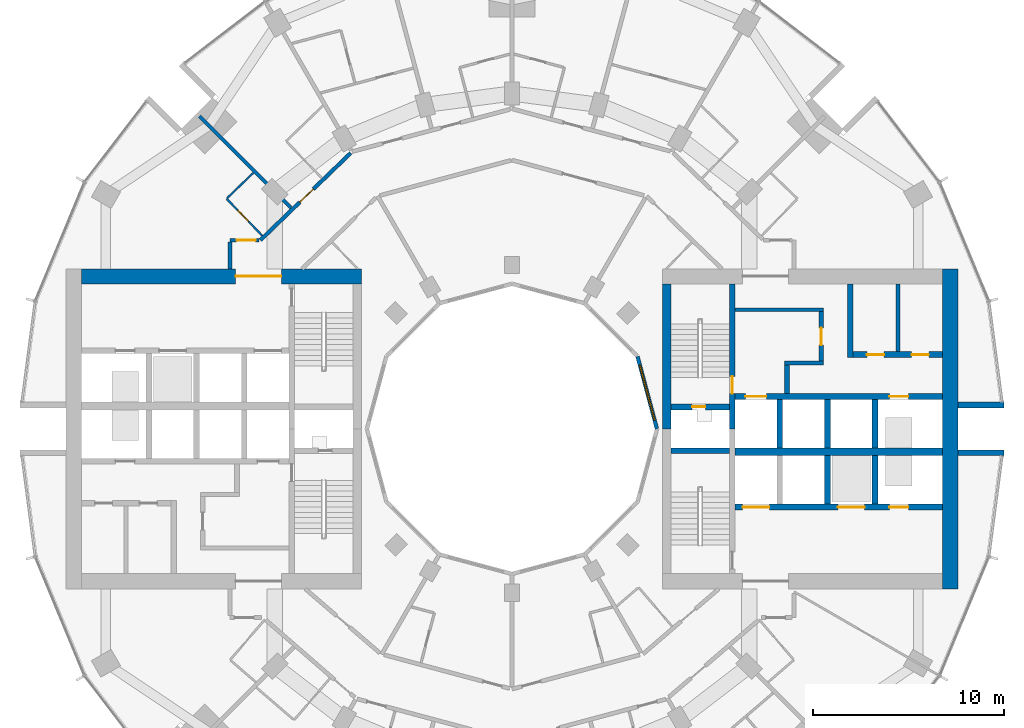
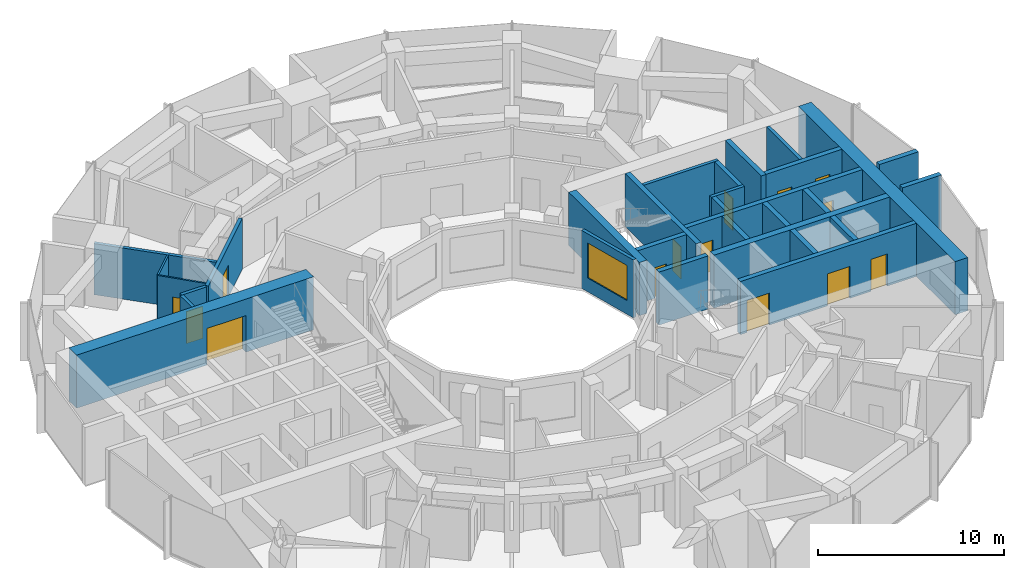
# One storey, part 11 of 15: 30 walls, 14 doors, 1 window, 15 openings.
"""IFC4 building model written with IfcOpenShell, lengths in metres."""

from ifc_helpers import new_model, si_unit, direction, frame, frame_2d, origin, place, context, subcontext, project, spatial, rectangle, extrude, material, layer, layer_set, type_object, element, fill, save


model = new_model("IFC4")

# Units and contexts
model_context = context("Model", 3, precision=1e-05, world=origin(), true_north=direction((0.0, 1.0)))
body_context = subcontext(model_context, "Body", "Model", "MODEL_VIEW")
ifc_project = project(units=[si_unit("LENGTHUNIT", "METRE"), si_unit("AREAUNIT", "SQUARE_METRE"), si_unit("VOLUMEUNIT", "CUBIC_METRE"), si_unit("PLANEANGLEUNIT", "RADIAN"), si_unit("MASSUNIT", "GRAM", prefix="KILO")], contexts=[model_context])

# Site, building, storey
site_placement = place(None, origin())
site = spatial("IfcSite", under=ifc_project, at=site_placement, CompositionType="ELEMENT")
building_placement = place(site_placement, origin())
building = spatial("IfcBuilding", under=site, at=building_placement, Name="Torre Brocal", CompositionType="ELEMENT")
storey_placement = place(building_placement, frame((0.0, 0.0, 47.800048828125)))
storey = spatial("IfcBuildingStorey", under=building, at=storey_placement, Name="L10", CompositionType="ELEMENT", Elevation=47.800048828125)

# Walls
ifc_material_1 = material(Name="Masonry block", Category="masonry")
ifc_layer_1 = layer(ifc_material_1, 0.199951171875)
ifc_layer_set_1 = layer_set([ifc_layer_1], Name="Masonry block")
wall_type_1 = type_object("IfcWallType", Name="CORE PARTITION 200", PredefinedType="PARTITIONING", material=ifc_layer_set_1)
wall_1_placement = place(storey_placement, frame((100.25, 79.050048828125, 0.0), z_axis=(0.0, 0.0, 1.0), x_axis=(0.0, 1.0, 0.0)))
element("IfcWall", 1, at=wall_1_placement, inside=storey, type_object=wall_type_1, Name="Wall CP200", PredefinedType="PARTITIONING", context=body_context, shape_type="SweptSolid", body=[
    extrude(rectangle(XDim=3.550048828125, YDim=0.199951171875, at=frame_2d((1.77490234375, 0.0))), origin(), (0.0, 0.0, 1.0), 3.47998046875),
])
ifc_material_2 = material(Name="Concrete C80", Category="concrete")
ifc_layer_2 = layer(ifc_material_2, 0.199951171875)
ifc_layer_set_2 = layer_set([ifc_layer_2], Name="Concrete C80")
wall_type_2 = type_object("IfcWallType", Name="CORE WALL 200 C80", PredefinedType="SHEAR", material=ifc_layer_set_2)
wall_2_placement = place(storey_placement, frame((91.699951171875, 81.25, 0.0), z_axis=(0.0, 0.0, 1.0), x_axis=(1.0, 0.0, 0.0)))
element("IfcWall", 2, at=wall_2_placement, inside=storey, type_object=wall_type_2, Name="Wall CW200-80", PredefinedType="SHEAR", context=body_context, shape_type="SweptSolid", body=[
    extrude(rectangle(XDim=4.650146484375, YDim=0.199951171875, at=frame_2d((2.3251953125, 0.0))), origin(), (0.0, 0.0, 1.0), 3.47998046875),
])
wall_3_placement = place(storey_placement, frame((94.300048828125, 78.449951171875, 0.0), z_axis=(0.0, 0.0, 1.0), x_axis=(1.0, 0.0, 0.0)))
element("IfcWall", 3, at=wall_3_placement, inside=storey, type_object=wall_type_2, Name="Wall CW200-80", PredefinedType="SHEAR", context=body_context, shape_type="SweptSolid", body=[
    extrude(rectangle(XDim=2.050048828125, YDim=0.199951171875, at=frame_2d((1.02490234375, 0.0))), origin(), (0.0, 0.0, 1.0), 3.47998046875),
])

# Wall, opening, door
ifc_material_3 = material(Name="Concrete C80", Category="concrete")
ifc_layer_3 = layer(ifc_material_3, 0.25)
ifc_layer_set_3 = layer_set([ifc_layer_3], Name="Concrete C80")
wall_type_3 = type_object("IfcWallType", Name="CORE WALL 250 C80", PredefinedType="SHEAR", material=ifc_layer_set_3)
wall_4_placement = place(storey_placement, frame((96.22509765625, 78.550048828125, 0.0), z_axis=(0.0, 0.0, 1.0), x_axis=(0.0, 1.0, 0.0)))
wall_4 = element("IfcWall", 4, at=wall_4_placement, inside=storey, type_object=wall_type_3, Name="Wall CW250-80", PredefinedType="SHEAR", context=body_context, shape_type="SweptSolid", body=[
    extrude(rectangle(XDim=2.599853515625, YDim=0.25, at=frame_2d((1.2998046875, 0.0))), origin(), (0.0, 0.0, 1.0), 3.47998046875),
])
opening_1_placement = place(wall_4_placement, frame((0.85009765625, 0.0, 0.0)))
opening_1 = element("IfcOpeningElement", 5, at=opening_1_placement, cuts=wall_4, Name="Opening E-D15", PredefinedType="OPENING", context=body_context, shape_type="SweptSolid", body=[
    extrude(rectangle(XDim=0.89990234375, YDim=2.10009765625, at=frame_2d((0.449951171875, 1.050048828125))), frame((0.0, 0.135009765625, 0.0), z_axis=(0.0, -1.0, 0.0), x_axis=(1.0, 0.0, 0.0)), (0.0, 0.0, 1.0), 0.27001953125),
])
ifc_material_4 = material(Name="Steel A653", Category="steel")
door_type_1 = type_object("IfcDoorType", Name="LOBBY DOOR FD120 900X2100", OperationType="SINGLE_SWING_RIGHT", PredefinedType="DOOR", material=ifc_material_4)
door_1_placement = place(opening_1_placement, origin())
door_1 = element("IfcDoor", 6, at=door_1_placement, inside=storey, type_object=door_type_1, Name="Door E-D15", OperationType="SINGLE_SWING_LEFT", OverallHeight=2.10009765625, OverallWidth=0.89990234375, PredefinedType="DOOR", context=body_context, shape_type="SweptSolid", body=[
    extrude(rectangle(XDim=0.89990234375, YDim=2.10009765625, at=frame_2d((0.449951171875, 1.050048828125))), frame((0.0, 0.02490234375, 0.0), z_axis=(0.0, -1.0, 0.0), x_axis=(1.0, 0.0, 0.0)), (0.0, 0.0, 1.0), 0.050048828125),
])
fill(opening_1, door_1)

# Wall
wall_5_placement = place(storey_placement, frame((94.425048828125, 76.85009765625, 0.0), z_axis=(0.0, 0.0, 1.0), x_axis=(0.0, 1.0, 0.0)))
element("IfcWall", 7, at=wall_5_placement, inside=storey, type_object=wall_type_3, Name="Wall CW250-80", PredefinedType="SHEAR", context=body_context, shape_type="SweptSolid", body=[
    extrude(rectangle(XDim=1.5, YDim=0.25, at=frame_2d((0.75, 0.0))), origin(), (0.0, 0.0, 1.0), 3.47998046875),
])

# Wall, opening, door
ifc_material_5 = material(Name="Concrete C80", Category="concrete")
ifc_layer_4 = layer(ifc_material_5, 0.300048828125)
ifc_layer_set_4 = layer_set([ifc_layer_4], Name="Concrete C80")
wall_type_4 = type_object("IfcWallType", Name="CORE WALL 300 C80", PredefinedType="SHEAR", material=ifc_layer_set_4)
wall_6_placement = place(storey_placement, frame((91.550048828125, 75.0, 0.0), z_axis=(0.0, 0.0, 1.0), x_axis=(0.0, 1.0, 0.0)))
wall_6 = element("IfcWall", 8, at=wall_6_placement, inside=storey, type_object=wall_type_4, Name="Wall CW300-80", PredefinedType="SHEAR", context=body_context, shape_type="SweptSolid", body=[
    extrude(rectangle(XDim=7.60009765625, YDim=0.300048828125, at=frame_2d((3.800048828125, 0.0))), origin(), (0.0, 0.0, 1.0), 3.47998046875),
])
opening_2_placement = place(wall_6_placement, frame((1.85009765625, 0.0, 0.0)))
opening_2 = element("IfcOpeningElement", 9, at=opening_2_placement, cuts=wall_6, Name="Opening E-D02", PredefinedType="OPENING", context=body_context, shape_type="SweptSolid", body=[
    extrude(rectangle(XDim=0.89990234375, YDim=2.10009765625, at=frame_2d((0.449951171875, 1.050048828125))), frame((0.0, 0.159912109375, 0.0), z_axis=(0.0, -1.0, 0.0), x_axis=(1.0, 0.0, 0.0)), (0.0, 0.0, 1.0), 0.320068359375),
])
ifc_material_6 = material(Name="Steel A653", Category="steel")
door_type_2 = type_object("IfcDoorType", Name="STAIR DOOR FD120 900X2100", OperationType="SINGLE_SWING_RIGHT", PredefinedType="DOOR", material=ifc_material_6)
door_2_placement = place(opening_2_placement, origin())
door_2 = element("IfcDoor", 10, at=door_2_placement, inside=storey, type_object=door_type_2, Name="Door E-D02", OperationType="SINGLE_SWING_LEFT", OverallHeight=2.10009765625, OverallWidth=0.89990234375, PredefinedType="DOOR", context=body_context, shape_type="SweptSolid", body=[
    extrude(rectangle(XDim=0.89990234375, YDim=2.10009765625, at=frame_2d((0.449951171875, 1.050048828125))), frame((0.0, 0.02490234375, 0.0), z_axis=(0.0, -1.0, 0.0), x_axis=(1.0, 0.0, 0.0)), (0.0, 0.0, 1.0), 0.050048828125),
])
fill(opening_2, door_2)

wall_7_placement = place(storey_placement, frame((88.35009765625, 76.14990234375, 0.0), z_axis=(0.0, 0.0, 1.0), x_axis=(1.0, 0.0, 0.0)))
wall_7 = element("IfcWall", 11, at=wall_7_placement, inside=storey, type_object=wall_type_4, Name="Wall CW300-80", PredefinedType="SHEAR", context=body_context, shape_type="SweptSolid", body=[
    extrude(rectangle(XDim=3.0498046875, YDim=0.300048828125, at=frame_2d((1.52490234375, 0.0))), origin(), (0.0, 0.0, 1.0), 3.47998046875),
])
opening_3_placement = place(wall_7_placement, frame((1.10009765625, 0.0, 0.0)))
opening_3 = element("IfcOpeningElement", 12, at=opening_3_placement, cuts=wall_7, Name="Opening E-D01", PredefinedType="OPENING", context=body_context, shape_type="SweptSolid", body=[
    extrude(rectangle(XDim=0.699951171875, YDim=2.0, at=frame_2d((0.35009765625, 1.0))), frame((0.0, 0.159912109375, 0.0), z_axis=(0.0, -1.0, 0.0), x_axis=(1.0, 0.0, 0.0)), (0.0, 0.0, 1.0), 0.320068359375),
])
ifc_material_7 = material(Name="Steel A653", Category="steel")
door_type_3 = type_object("IfcDoorType", Name="RISER DOOR FD120 700X2000", OperationType="SINGLE_SWING_LEFT", PredefinedType="DOOR", material=ifc_material_7)
door_3_placement = place(opening_3_placement, frame((0.699951171875, 0.0, 0.0), z_axis=(0.0, 0.0, 1.0), x_axis=(-1.0, 0.0, 0.0)))
door_3 = element("IfcDoor", 13, at=door_3_placement, inside=storey, type_object=door_type_3, Name="Door E-D01", OperationType="SINGLE_SWING_RIGHT", OverallHeight=2.0, OverallWidth=0.699951171875, PredefinedType="DOOR", context=body_context, shape_type="SweptSolid", body=[
    extrude(rectangle(XDim=0.699951171875, YDim=2.0, at=frame_2d((0.35009765625, 1.0))), frame((0.0, 0.02490234375, 0.0), z_axis=(0.0, -1.0, 0.0), x_axis=(1.0, 0.0, 0.0)), (0.0, 0.0, 1.0), 0.050048828125),
])
fill(opening_3, door_3)

# Wall
wall_8_placement = place(storey_placement, frame((88.35009765625, 73.85009765625, 0.0), z_axis=(0.0, 0.0, 1.0), x_axis=(1.0, 0.0, 0.0)))
element("IfcWall", 14, at=wall_8_placement, inside=storey, type_object=wall_type_4, Name="Wall CW300-80", PredefinedType="SHEAR", context=body_context, shape_type="SweptSolid", body=[
    extrude(rectangle(XDim=3.0498046875, YDim=0.300048828125, at=frame_2d((1.52490234375, 0.0))), origin(), (0.0, 0.0, 1.0), 3.47998046875),
])

# Wall, openings, doors
wall_9_placement = place(storey_placement, frame((91.699951171875, 76.699951171875, 0.0), z_axis=(0.0, 0.0, 1.0), x_axis=(1.0, 0.0, 0.0)))
wall_9 = element("IfcWall", 15, at=wall_9_placement, inside=storey, type_object=wall_type_4, Name="Wall CW300-80", PredefinedType="SHEAR", context=body_context, shape_type="SweptSolid", body=[
    extrude(rectangle(XDim=10.900146484375, YDim=0.300048828125, at=frame_2d((5.4501953125, 0.0))), origin(), (0.0, 0.0, 1.0), 3.47998046875),
])
opening_4_placement = place(wall_9_placement, frame((0.550048828125, 0.0, 0.0)))
opening_4 = element("IfcOpeningElement", 16, at=opening_4_placement, cuts=wall_9, Name="Opening LD", PredefinedType="OPENING", context=body_context, shape_type="SweptSolid", body=[
    extrude(rectangle(XDim=1.10009765625, YDim=2.10009765625, at=frame_2d((0.550048828125, 1.050048828125))), frame((0.0, 0.159912109375, 0.0), z_axis=(0.0, -1.0, 0.0), x_axis=(1.0, 0.0, 0.0)), (0.0, 0.0, 1.0), 0.320068359375),
])
opening_5_placement = place(wall_9_placement, frame((8.10009765625, 0.0, 0.0)))
opening_5 = element("IfcOpeningElement", 17, at=opening_5_placement, cuts=wall_9, Name="Opening LD10", PredefinedType="OPENING", context=body_context, shape_type="SweptSolid", body=[
    extrude(rectangle(XDim=1.0, YDim=2.10009765625, at=frame_2d((0.5, 1.050048828125))), frame((0.0, 0.159912109375, 0.0), z_axis=(0.0, -1.0, 0.0), x_axis=(1.0, 0.0, 0.0)), (0.0, 0.0, 1.0), 0.320068359375),
])
ifc_material_8 = material(Name="Stainless steel AISI 316", Category="steel")
door_type_4 = type_object("IfcDoorType", Name="LIFT LANDING DOOR 1000X2100", OperationType="DOUBLE_DOOR_SLIDING", PredefinedType="DOOR", material=ifc_material_8)
door_4_placement = place(opening_5_placement, origin())
door_4 = element("IfcDoor", 18, at=door_4_placement, inside=storey, type_object=door_type_4, Name="Door LD10", OperationType="DOUBLE_DOOR_SLIDING", OverallHeight=2.10009765625, OverallWidth=1.0, PredefinedType="DOOR", context=body_context, shape_type="SweptSolid", body=[
    extrude(rectangle(XDim=1.0, YDim=2.10009765625, at=frame_2d((0.5, 1.050048828125))), frame((0.0, 0.02490234375, 0.0), z_axis=(0.0, -1.0, 0.0), x_axis=(1.0, 0.0, 0.0)), (0.0, 0.0, 1.0), 0.050048828125),
])
fill(opening_5, door_4)
ifc_material_9 = material(Name="Stainless steel AISI 316", Category="steel")
door_type_5 = type_object("IfcDoorType", Name="LIFT LANDING DOOR 1100X2100", OperationType="DOUBLE_DOOR_SLIDING", PredefinedType="DOOR", material=ifc_material_9)
door_5_placement = place(opening_4_placement, origin())
door_5 = element("IfcDoor", 19, at=door_5_placement, inside=storey, type_object=door_type_5, Name="Door LD", OperationType="DOUBLE_DOOR_SLIDING", OverallHeight=2.10009765625, OverallWidth=1.10009765625, PredefinedType="DOOR", context=body_context, shape_type="SweptSolid", body=[
    extrude(rectangle(XDim=1.10009765625, YDim=2.10009765625, at=frame_2d((0.550048828125, 1.050048828125))), frame((0.0, 0.02490234375, 0.0), z_axis=(0.0, -1.0, 0.0), x_axis=(1.0, 0.0, 0.0)), (0.0, 0.0, 1.0), 0.050048828125),
])
fill(opening_4, door_5)

wall_10_placement = place(storey_placement, frame((91.699951171875, 70.89990234375, 0.0), z_axis=(0.0, 0.0, 1.0), x_axis=(1.0, 0.0, 0.0)))
wall_10 = element("IfcWall", 20, at=wall_10_placement, inside=storey, type_object=wall_type_4, Name="Wall CW300-80", PredefinedType="SHEAR", context=body_context, shape_type="SweptSolid", body=[
    extrude(rectangle(XDim=10.900146484375, YDim=0.300048828125, at=frame_2d((5.4501953125, 0.0))), origin(), (0.0, 0.0, 1.0), 3.47998046875),
])
opening_6_placement = place(wall_10_placement, frame((0.39990234375, 0.0, 0.0)))
opening_6 = element("IfcOpeningElement", 21, at=opening_6_placement, cuts=wall_10, Name="Opening LD14", PredefinedType="OPENING", context=body_context, shape_type="SweptSolid", body=[
    extrude(rectangle(XDim=1.39990234375, YDim=2.10009765625, at=frame_2d((0.699951171875, 1.050048828125))), frame((0.0, 0.159912109375, 0.0), z_axis=(0.0, -1.0, 0.0), x_axis=(1.0, 0.0, 0.0)), (0.0, 0.0, 1.0), 0.320068359375),
])
opening_7_placement = place(wall_10_placement, frame((5.39990234375, 0.0, 0.0)))
opening_7 = element("IfcOpeningElement", 22, at=opening_7_placement, cuts=wall_10, Name="Opening LD14", PredefinedType="OPENING", context=body_context, shape_type="SweptSolid", body=[
    extrude(rectangle(XDim=1.39990234375, YDim=2.10009765625, at=frame_2d((0.699951171875, 1.050048828125))), frame((0.0, 0.159912109375, 0.0), z_axis=(0.0, -1.0, 0.0), x_axis=(1.0, 0.0, 0.0)), (0.0, 0.0, 1.0), 0.320068359375),
])
opening_8_placement = place(wall_10_placement, frame((8.10009765625, 0.0, 0.0)))
opening_8 = element("IfcOpeningElement", 23, at=opening_8_placement, cuts=wall_10, Name="Opening LD10", PredefinedType="OPENING", context=body_context, shape_type="SweptSolid", body=[
    extrude(rectangle(XDim=1.0, YDim=2.10009765625, at=frame_2d((0.5, 1.050048828125))), frame((0.0, 0.159912109375, 0.0), z_axis=(0.0, -1.0, 0.0), x_axis=(1.0, 0.0, 0.0)), (0.0, 0.0, 1.0), 0.320068359375),
])
door_6_placement = place(opening_8_placement, origin())
door_6 = element("IfcDoor", 24, at=door_6_placement, inside=storey, type_object=door_type_4, Name="Door LD10", OperationType="DOUBLE_DOOR_SLIDING", OverallHeight=2.10009765625, OverallWidth=1.0, PredefinedType="DOOR", context=body_context, shape_type="SweptSolid", body=[
    extrude(rectangle(XDim=1.0, YDim=2.10009765625, at=frame_2d((0.5, 1.050048828125))), frame((0.0, 0.02490234375, 0.0), z_axis=(0.0, -1.0, 0.0), x_axis=(1.0, 0.0, 0.0)), (0.0, 0.0, 1.0), 0.050048828125),
])
fill(opening_8, door_6)
ifc_material_10 = material(Name="Stainless steel AISI 316", Category="steel")
door_type_6 = type_object("IfcDoorType", Name="LIFT LANDING DOOR 1400X2100", OperationType="DOUBLE_DOOR_SLIDING", PredefinedType="DOOR", material=ifc_material_10)
door_7_placement = place(opening_6_placement, origin())
door_7 = element("IfcDoor", 25, at=door_7_placement, inside=storey, type_object=door_type_6, Name="Door LD14", OperationType="DOUBLE_DOOR_SLIDING", OverallHeight=2.10009765625, OverallWidth=1.39990234375, PredefinedType="DOOR", context=body_context, shape_type="SweptSolid", body=[
    extrude(rectangle(XDim=1.39990234375, YDim=2.10009765625, at=frame_2d((0.699951171875, 1.050048828125))), frame((0.0, 0.02490234375, 0.0), z_axis=(0.0, -1.0, 0.0), x_axis=(1.0, 0.0, 0.0)), (0.0, 0.0, 1.0), 0.050048828125),
])
fill(opening_6, door_7)
door_8_placement = place(opening_7_placement, origin())
door_8 = element("IfcDoor", 26, at=door_8_placement, inside=storey, type_object=door_type_6, Name="Door LD14", OperationType="DOUBLE_DOOR_SLIDING", OverallHeight=2.10009765625, OverallWidth=1.39990234375, PredefinedType="DOOR", context=body_context, shape_type="SweptSolid", body=[
    extrude(rectangle(XDim=1.39990234375, YDim=2.10009765625, at=frame_2d((0.699951171875, 1.050048828125))), frame((0.0, 0.02490234375, 0.0), z_axis=(0.0, -1.0, 0.0), x_axis=(1.0, 0.0, 0.0)), (0.0, 0.0, 1.0), 0.050048828125),
])
fill(opening_7, door_8)

# Walls
for number, where, z_axis, x_axis, name in (
    (27, (94.050048828125, 74.0, 0.0), (0.0, 0.0, 1.0), (0.0, 1.0, 0.0), "Wall CW300-80"),
    (28, (96.550048828125, 74.0, 0.0), (0.0, 0.0, 1.0), (0.0, 1.0, 0.0), "Wall CW300-80"),
    (29, (99.050048828125, 74.0, 0.0), (0.0, 0.0, 1.0), (0.0, 1.0, 0.0), "Wall CW300-80"),
    (30, (96.550048828125, 71.050048828125, 0.0), (0.0, 0.0, 1.0), (0.0, 1.0, 0.0), "Wall CW300-80"),
    (31, (99.050048828125, 71.050048828125, 0.0), (0.0, 0.0, 1.0), (0.0, 1.0, 0.0), "Wall CW300-80"),
):
    element("IfcWall", number, at=place(storey_placement, frame(where, z_axis=z_axis, x_axis=x_axis)), inside=storey, type_object=wall_type_4, Name=name, PredefinedType="SHEAR", context=body_context, shape_type="SweptSolid", body=[
        extrude(rectangle(XDim=2.550048828125, YDim=0.300048828125, at=frame_2d((1.27490234375, 0.0))), origin(), (0.0, 0.0, 1.0), 3.47998046875),
    ])
wall_11_placement = place(storey_placement, frame((97.75, 78.75, 0.0), z_axis=(0.0, 0.0, 1.0), x_axis=(0.0, 1.0, 0.0)))
element("IfcWall", 32, at=wall_11_placement, inside=storey, type_object=wall_type_4, Name="Wall CW300-80", PredefinedType="SHEAR", context=body_context, shape_type="SweptSolid", body=[
    extrude(rectangle(XDim=3.85009765625, YDim=0.300048828125, at=frame_2d((1.925048828125, 0.0))), origin(), (0.0, 0.0, 1.0), 3.47998046875),
])

# Wall, openings, doors
wall_12_placement = place(storey_placement, frame((97.89990234375, 78.89990234375, 0.0), z_axis=(0.0, 0.0, 1.0), x_axis=(1.0, 0.0, 0.0)))
wall_12 = element("IfcWall", 33, at=wall_12_placement, inside=storey, type_object=wall_type_4, Name="Wall CW300-80", PredefinedType="SHEAR", context=body_context, shape_type="SweptSolid", body=[
    extrude(rectangle(XDim=4.7001953125, YDim=0.300048828125, at=frame_2d((2.35009765625, 0.0))), origin(), (0.0, 0.0, 1.0), 3.47998046875),
])
opening_9_placement = place(wall_12_placement, frame((0.72509765625, 0.0, 0.0)))
opening_9 = element("IfcOpeningElement", 34, at=opening_9_placement, cuts=wall_12, Name="Opening E-D05", PredefinedType="OPENING", context=body_context, shape_type="SweptSolid", body=[
    extrude(rectangle(XDim=0.89990234375, YDim=2.10009765625, at=frame_2d((0.449951171875, 1.050048828125))), frame((0.0, 0.159912109375, 0.0), z_axis=(0.0, -1.0, 0.0), x_axis=(1.0, 0.0, 0.0)), (0.0, 0.0, 1.0), 0.320068359375),
])
opening_10_placement = place(wall_12_placement, frame((3.074951171875, 0.0, 0.0)))
opening_10 = element("IfcOpeningElement", 35, at=opening_10_placement, cuts=wall_12, Name="Opening E-D06", PredefinedType="OPENING", context=body_context, shape_type="SweptSolid", body=[
    extrude(rectangle(XDim=0.89990234375, YDim=2.10009765625, at=frame_2d((0.449951171875, 1.050048828125))), frame((0.0, 0.159912109375, 0.0), z_axis=(0.0, -1.0, 0.0), x_axis=(1.0, 0.0, 0.0)), (0.0, 0.0, 1.0), 0.320068359375),
])
ifc_material_11 = material(Name="Steel A653", Category="steel")
door_type_7 = type_object("IfcDoorType", Name="ROOM DOOR FD30S 900X2100", OperationType="SINGLE_SWING_LEFT", PredefinedType="DOOR", material=ifc_material_11)
door_9_placement = place(opening_9_placement, origin())
door_9 = element("IfcDoor", 36, at=door_9_placement, inside=storey, type_object=door_type_7, Name="Door E-D05", OperationType="SINGLE_SWING_RIGHT", OverallHeight=2.10009765625, OverallWidth=0.89990234375, PredefinedType="DOOR", context=body_context, shape_type="SweptSolid", body=[
    extrude(rectangle(XDim=0.89990234375, YDim=2.10009765625, at=frame_2d((0.449951171875, 1.050048828125))), frame((0.0, 0.02490234375, 0.0), z_axis=(0.0, -1.0, 0.0), x_axis=(1.0, 0.0, 0.0)), (0.0, 0.0, 1.0), 0.050048828125),
])
fill(opening_9, door_9)
door_10_placement = place(opening_10_placement, origin())
door_10 = element("IfcDoor", 37, at=door_10_placement, inside=storey, type_object=door_type_7, Name="Door E-D06", OperationType="SINGLE_SWING_LEFT", OverallHeight=2.10009765625, OverallWidth=0.89990234375, PredefinedType="DOOR", context=body_context, shape_type="SweptSolid", body=[
    extrude(rectangle(XDim=0.89990234375, YDim=2.10009765625, at=frame_2d((0.449951171875, 1.050048828125))), frame((0.0, 0.02490234375, 0.0), z_axis=(0.0, -1.0, 0.0), x_axis=(1.0, 0.0, 0.0)), (0.0, 0.0, 1.0), 0.050048828125),
])
fill(opening_10, door_10)

# Walls
ifc_material_12 = material(Name="Concrete C80", Category="concrete")
ifc_layer_5 = layer(ifc_material_12, 0.39990234375)
ifc_layer_set_5 = layer_set([ifc_layer_5], Name="Concrete C80")
wall_type_5 = type_object("IfcWallType", Name="CORE WALL 400 C80", PredefinedType="SHEAR", material=ifc_layer_set_5)
wall_13_placement = place(storey_placement, frame((91.699951171875, 73.800048828125, 0.0), z_axis=(0.0, 0.0, 1.0), x_axis=(1.0, 0.0, 0.0)))
element("IfcWall", 38, at=wall_13_placement, inside=storey, type_object=wall_type_5, Name="Wall CW400-80", PredefinedType="SHEAR", context=body_context, shape_type="SweptSolid", body=[
    extrude(rectangle(XDim=10.900146484375, YDim=0.39990234375, at=frame_2d((5.4501953125, 0.0))), origin(), (0.0, 0.0, 1.0), 3.47998046875),
])
ifc_material_13 = material(Name="Concrete C80", Category="concrete")
ifc_layer_6 = layer(ifc_material_13, 0.449951171875)
ifc_layer_set_6 = layer_set([ifc_layer_6], Name="Concrete C80")
wall_type_6 = type_object("IfcWallType", Name="CORE WALL 450 C80", PredefinedType="SHEAR", material=ifc_layer_set_6)
wall_14_placement = place(storey_placement, frame((88.125, 75.0, 0.0), z_axis=(0.0, 0.0, 1.0), x_axis=(0.0, 1.0, 0.0)))
element("IfcWall", 39, at=wall_14_placement, inside=storey, type_object=wall_type_6, Name="Wall CW450-80", PredefinedType="SHEAR", context=body_context, shape_type="SweptSolid", body=[
    extrude(rectangle(XDim=7.60009765625, YDim=0.449951171875, at=frame_2d((3.800048828125, 0.0))), origin(), (0.0, 0.0, 1.0), 3.47998046875),
])
ifc_material_14 = material(Name="Concrete C80", Category="concrete")
ifc_layer_7 = layer(ifc_material_14, 0.800048828125)
ifc_layer_set_7 = layer_set([ifc_layer_7], Name="Concrete C80")
wall_type_7 = type_object("IfcWallType", Name="CORE WALL 800 C80", PredefinedType="SHEAR", material=ifc_layer_set_7)
wall_15_placement = place(storey_placement, frame((103.0, 66.60009765625, 0.0), z_axis=(0.0, 0.0, 1.0), x_axis=(0.0, 1.0, 0.0)))
element("IfcWall", 40, at=wall_15_placement, inside=storey, type_object=wall_type_7, Name="Wall CW800-80", PredefinedType="SHEAR", context=body_context, shape_type="SweptSolid", body=[
    extrude(rectangle(XDim=16.7998046875, YDim=0.800048828125, at=frame_2d((8.39990234375, 0.0))), origin(), (0.0, 0.0, 1.0), 3.47998046875),
])

# Wall, opening, door
wall_16_placement = place(storey_placement, frame((72.10009765625, 83.0, 0.0), z_axis=(0.0, 0.0, 1.0), x_axis=(-1.0, 0.0, 0.0)))
wall_16 = element("IfcWall", 41, at=wall_16_placement, inside=storey, type_object=wall_type_7, Name="Wall CW800-80", PredefinedType="SHEAR", context=body_context, shape_type="SweptSolid", body=[
    extrude(rectangle(XDim=14.7001953125, YDim=0.800048828125, at=frame_2d((7.35009765625, 0.0))), origin(), (0.0, 0.0, 1.0), 3.47998046875),
])
opening_11_placement = place(wall_16_placement, frame((4.199951171875, 0.0, 0.0)))
opening_11 = element("IfcOpeningElement", 42, at=opening_11_placement, cuts=wall_16, Name="Opening W-D27", PredefinedType="OPENING", context=body_context, shape_type="SweptSolid", body=[
    extrude(rectangle(XDim=2.39990234375, YDim=2.39990234375, at=frame_2d((1.199951171875, 1.199951171875))), frame((0.0, 0.409912109375, 0.0), z_axis=(0.0, -1.0, 0.0), x_axis=(1.0, 0.0, 0.0)), (0.0, 0.0, 1.0), 0.820068359375),
])
ifc_material_15 = material(Name="Steel A653", Category="steel")
door_type_8 = type_object("IfcDoorType", Name="DOUBLE FIRE DOOR FD90 2400X2400", OperationType="DOUBLE_DOOR_SINGLE_SWING", PredefinedType="DOOR", material=ifc_material_15)
door_11_placement = place(opening_11_placement, origin())
door_11 = element("IfcDoor", 43, at=door_11_placement, inside=storey, type_object=door_type_8, Name="Door W-D27", OperationType="DOUBLE_DOOR_SINGLE_SWING", OverallHeight=2.39990234375, OverallWidth=2.39990234375, PredefinedType="DOOR", context=body_context, shape_type="SweptSolid", body=[
    extrude(rectangle(XDim=2.39990234375, YDim=2.39990234375, at=frame_2d((1.199951171875, 1.199951171875))), frame((0.0, 0.02490234375, 0.0), z_axis=(0.0, -1.0, 0.0), x_axis=(1.0, 0.0, 0.0)), (0.0, 0.0, 1.0), 0.050048828125),
])
fill(opening_11, door_11)

# Walls
ifc_material_16 = material(Name="Concrete C80", Category="concrete")
ifc_layer_8 = layer(ifc_material_16, 0.300048828125)
ifc_layer_set_8 = layer_set([ifc_layer_8], Name="Concrete C80")
wall_type_8 = type_object("IfcWallType", Name="NOTCH RETURN WALL 300 C80", PredefinedType="NOTDEFINED", material=ifc_layer_set_8)
for number, where, z_axis, x_axis, name in (
    (44, (103.39990234375, 73.75, 0.0), (0.0, 0.0, 1.0), (1.0, 0.0, 0.0), "NOTCH RETURN WALL"),
    (45, (103.39990234375, 76.25, 0.0), (0.0, 0.0, 1.0), (1.0, 0.0, 0.0), "NOTCH RETURN WALL"),
):
    element("IfcWall", number, at=place(storey_placement, frame(where, z_axis=z_axis, x_axis=x_axis)), inside=storey, type_object=wall_type_8, Name=name, PredefinedType="NOTDEFINED", context=body_context, shape_type="SweptSolid", body=[
        extrude(rectangle(XDim=2.415771484375, YDim=0.300048828125, at=frame_2d((1.2080078125, 0.0))), origin(), (0.0, 0.0, 1.0), 3.800048828125),
    ])
ifc_material_17 = material(Name="Gypsum board", Category="Gypsum")
ifc_layer_9 = layer(ifc_material_17, 0.10009765625)
ifc_layer_set_9 = layer_set([ifc_layer_9], Name="Gypsum board")
wall_type_9 = type_object("IfcWallType", Name="PARTITION 100", PredefinedType="PARTITIONING", material=ifc_layer_set_9)
wall_17_placement = place(storey_placement, frame((65.05810546875, 87.113525390625, 0.0), z_axis=(0.0, 0.0, 1.0), x_axis=(0.719715847356, 0.694268751324, 0.0)))
element("IfcWall", 46, at=wall_17_placement, inside=storey, type_object=wall_type_9, Name="BATHROOM WALL", PredefinedType="PARTITIONING", context=body_context, shape_type="SweptSolid", body=[
    extrude(rectangle(XDim=1.899658203125, YDim=0.10009765625, at=frame_2d((0.94970703125, 0.0))), origin(), (0.0, 0.0, 1.0), 3.349853515625),
])

# Wall, opening, door
wall_18_placement = place(storey_placement, frame((65.02197265625, 87.0791015625, 0.0), z_axis=(0.0, 0.0, 1.0), x_axis=(0.694287838235, -0.719697434815, 0.0)))
wall_18 = element("IfcWall", 47, at=wall_18_placement, inside=storey, type_object=wall_type_9, Name="BATHROOM WALL", PredefinedType="PARTITIONING", context=body_context, shape_type="SweptSolid", body=[
    extrude(rectangle(XDim=2.699951171875, YDim=0.10009765625, at=frame_2d((1.35009765625, 0.0))), origin(), (0.0, 0.0, 1.0), 3.349853515625),
])
opening_12_placement = place(wall_18_placement, frame((0.849853515625, 0.0, 0.0)))
opening_12 = element("IfcOpeningElement", 48, at=opening_12_placement, cuts=wall_18, Name="Opening H02-D17", PredefinedType="OPENING", context=body_context, shape_type="SweptSolid", body=[
    extrude(rectangle(XDim=0.800048828125, YDim=2.10009765625, at=frame_2d((0.39990234375, 1.050048828125))), frame((0.0, 0.06005859375, 0.0), z_axis=(0.0, -1.0, 0.0), x_axis=(1.0, 0.0, 0.0)), (0.0, 0.0, 1.0), 0.1201171875),
])
ifc_material_18 = material(Name="Timber", Category="wood")
door_type_9 = type_object("IfcDoorType", Name="BATHROOM DOOR 800X2100", OperationType="SINGLE_SWING_LEFT", PredefinedType="DOOR", material=ifc_material_18)
door_12_placement = place(opening_12_placement, origin())
door_12 = element("IfcDoor", 49, at=door_12_placement, inside=storey, type_object=door_type_9, Name="H02-D17", OperationType="SINGLE_SWING_LEFT", OverallHeight=2.10009765625, OverallWidth=0.800048828125, PredefinedType="DOOR", context=body_context, shape_type="SweptSolid", body=[
    extrude(rectangle(XDim=0.800048828125, YDim=2.10009765625, at=frame_2d((0.39990234375, 1.050048828125))), frame((0.0, 0.02490234375, 0.0), z_axis=(0.0, -1.0, 0.0), x_axis=(1.0, 0.0, 0.0)), (0.0, 0.0, 1.0), 0.050048828125),
])
fill(opening_12, door_12)

# Walls
ifc_material_19 = material(Name="Gypsum board", Category="Gypsum")
ifc_layer_10 = layer(ifc_material_19, 0.199951171875)
ifc_layer_set_10 = layer_set([ifc_layer_10], Name="Gypsum board")
wall_type_10 = type_object("IfcWallType", Name="PARTITION 200 EI60", PredefinedType="PARTITIONING", material=ifc_layer_set_10)
wall_19_placement = place(storey_placement, frame((63.5986328125, 91.408203125, 0.0), z_axis=(0.0, 0.0, 1.0), x_axis=(0.706981017422, -0.707232522587, 0.0)))
element("IfcWall", 50, at=wall_19_placement, inside=storey, type_object=wall_type_10, Name="BATHROOM WALL", PredefinedType="PARTITIONING", context=body_context, shape_type="SweptSolid", body=[
    extrude(rectangle(XDim=6.794921875, YDim=0.199951171875, at=frame_2d((3.3974609375, 0.0))), origin(), (0.0, 0.0, 1.0), 3.349853515625),
])
wall_20_placement = place(storey_placement, frame((65.199951171875, 83.40087890625, 0.0), z_axis=(0.0, 0.0, 1.0), x_axis=(0.0, 1.0, 0.0)))
element("IfcWall", 51, at=wall_20_placement, inside=storey, type_object=wall_type_10, Name="GUESTROOM CORRIDOR WALL", PredefinedType="PARTITIONING", context=body_context, shape_type="SweptSolid", body=[
    extrude(rectangle(XDim=1.399169921875, YDim=0.199951171875, at=frame_2d((0.69970703125, 0.0))), origin(), (0.0, 0.0, 1.0), 3.349853515625),
])

# Wall, opening, door
wall_21_placement = place(storey_placement, frame((65.199951171875, 84.89990234375, 0.0), z_axis=(0.0, 0.0, 1.0), x_axis=(1.0, 0.0, 0.0)))
wall_21 = element("IfcWall", 52, at=wall_21_placement, inside=storey, type_object=wall_type_10, Name="GUESTROOM CORRIDOR WALL", PredefinedType="PARTITIONING", context=body_context, shape_type="SweptSolid", body=[
    extrude(rectangle(XDim=1.5361328125, YDim=0.199951171875, at=frame_2d((0.76806640625, 0.0))), origin(), (0.0, 0.0, 1.0), 3.349853515625),
])
opening_13_placement = place(wall_21_placement, frame((0.346923828125, 0.0, 0.0)))
opening_13 = element("IfcOpeningElement", 53, at=opening_13_placement, cuts=wall_21, Name="Opening H02-D16", PredefinedType="OPENING", context=body_context, shape_type="SweptSolid", body=[
    extrude(rectangle(XDim=1.0, YDim=2.10009765625, at=frame_2d((0.5, 1.050048828125))), frame((0.0, 0.10986328125, 0.0), z_axis=(0.0, -1.0, 0.0), x_axis=(1.0, 0.0, 0.0)), (0.0, 0.0, 1.0), 0.219970703125),
])
ifc_material_20 = material(Name="Timber", Category="wood")
door_type_10 = type_object("IfcDoorType", Name="FLAT ENTRY DOOR FD30S 1000X2100", OperationType="SINGLE_SWING_RIGHT", PredefinedType="DOOR", material=ifc_material_20)
door_13_placement = place(opening_13_placement, origin())
door_13 = element("IfcDoor", 54, at=door_13_placement, inside=storey, type_object=door_type_10, Name="H02-D16", OperationType="SINGLE_SWING_LEFT", OverallHeight=2.10009765625, OverallWidth=1.0, PredefinedType="DOOR", context=body_context, shape_type="SweptSolid", body=[
    extrude(rectangle(XDim=1.0, YDim=2.10009765625, at=frame_2d((0.5, 1.050048828125))), frame((0.0, 0.02490234375, 0.0), z_axis=(0.0, -1.0, 0.0), x_axis=(1.0, 0.0, 0.0)), (0.0, 0.0, 1.0), 0.050048828125),
])
fill(opening_13, door_13)

wall_22_placement = place(storey_placement, frame((66.7958984375, 84.89990234375, 0.0), z_axis=(0.0, 0.0, 1.0), x_axis=(0.719690131178, 0.694295409092, 0.0)))
wall_22 = element("IfcWall", 55, at=wall_22_placement, inside=storey, type_object=wall_type_10, Name="GUESTROOM CORRIDOR WALL", PredefinedType="PARTITIONING", context=body_context, shape_type="SweptSolid", body=[
    extrude(rectangle(XDim=6.58544921875, YDim=0.199951171875, at=frame_2d((3.292724609375, 0.0))), origin(), (0.0, 0.0, 1.0), 3.349853515625),
])
opening_14_placement = place(wall_22_placement, frame((2.866943359375, 0.0, 0.0)))
opening_14 = element("IfcOpeningElement", 56, at=opening_14_placement, cuts=wall_22, Name="Opening H02-D14", PredefinedType="OPENING", context=body_context, shape_type="SweptSolid", body=[
    extrude(rectangle(XDim=1.0, YDim=2.10009765625, at=frame_2d((0.5, 1.050048828125))), frame((0.0, 0.10986328125, 0.0), z_axis=(0.0, -1.0, 0.0), x_axis=(1.0, 0.0, 0.0)), (0.0, 0.0, 1.0), 0.219970703125),
])
door_14_placement = place(opening_14_placement, origin())
door_14 = element("IfcDoor", 57, at=door_14_placement, inside=storey, type_object=door_type_10, Name="H02-D14", OperationType="SINGLE_SWING_LEFT", OverallHeight=2.10009765625, OverallWidth=1.0, PredefinedType="DOOR", context=body_context, shape_type="SweptSolid", body=[
    extrude(rectangle(XDim=1.0, YDim=2.10009765625, at=frame_2d((0.5, 1.050048828125))), frame((0.0, 0.02490234375, 0.0), z_axis=(0.0, -1.0, 0.0), x_axis=(1.0, 0.0, 0.0)), (0.0, 0.0, 1.0), 0.050048828125),
])
fill(opening_14, door_14)

# Wall, opening, window
ifc_material_21 = material(Name="Concrete C40", Category="concrete")
ifc_layer_11 = layer(ifc_material_21, 0.199951171875)
ifc_layer_set_11 = layer_set([ifc_layer_11], Name="Concrete C40")
wall_type_11 = type_object("IfcWallType", Name="WELL FACADE WALL 200", PredefinedType="NOTDEFINED", material=ifc_layer_set_11)
wall_23_placement = place(storey_placement, frame((87.603515625, 75.0, 0.0), z_axis=(0.0, 0.0, 1.0), x_axis=(-0.258789828301, 0.965933654434, 0.0)))
wall_23 = element("IfcWall", 58, at=wall_23_placement, inside=storey, type_object=wall_type_11, Name="WELL FACADE WALL", PredefinedType="NOTDEFINED", context=body_context, shape_type="SweptSolid", body=[
    extrude(rectangle(XDim=3.935791015625, YDim=0.199951171875, at=frame_2d((1.9677734375, 0.0))), origin(), (0.0, 0.0, 1.0), 3.800048828125),
])
opening_15_placement = place(wall_23_placement, frame((0.468017578125, 0.0, 0.89990234375)))
opening_15 = element("IfcOpeningElement", 59, at=opening_15_placement, cuts=wall_23, Name="Opening W1", PredefinedType="OPENING", context=body_context, shape_type="SweptSolid", body=[
    extrude(rectangle(XDim=3.0, YDim=2.300048828125, at=frame_2d((1.5, 1.14990234375))), frame((0.0, 0.10986328125, 0.0), z_axis=(0.0, -1.0, 0.0), x_axis=(1.0, 0.0, 0.0)), (0.0, 0.0, 1.0), 0.219970703125),
])
ifc_material_22 = material(Name="Aluminium and glass", Category="aluminium")
window_type = type_object("IfcWindowType", Name="WELL WINDOW 3000X2300", PartitioningType="SINGLE_PANEL", PredefinedType="WINDOW", material=ifc_material_22)
window_placement = place(opening_15_placement, origin())
window = element("IfcWindow", 60, at=window_placement, inside=storey, type_object=window_type, Name="WELL WINDOW 3000X2300", OverallHeight=2.300048828125, OverallWidth=3.0, PartitioningType="SINGLE_PANEL", PredefinedType="WINDOW", context=body_context, shape_type="SweptSolid", body=[
    extrude(rectangle(XDim=3.0, YDim=2.300048828125, at=frame_2d((1.5, 1.14990234375))), frame((0.0, 0.030029296875, 0.0), z_axis=(0.0, -1.0, 0.0), x_axis=(1.0, 0.0, 0.0)), (0.0, 0.0, 1.0), 0.06005859375),
])
fill(opening_15, window)

save(model, "model.ifc")
